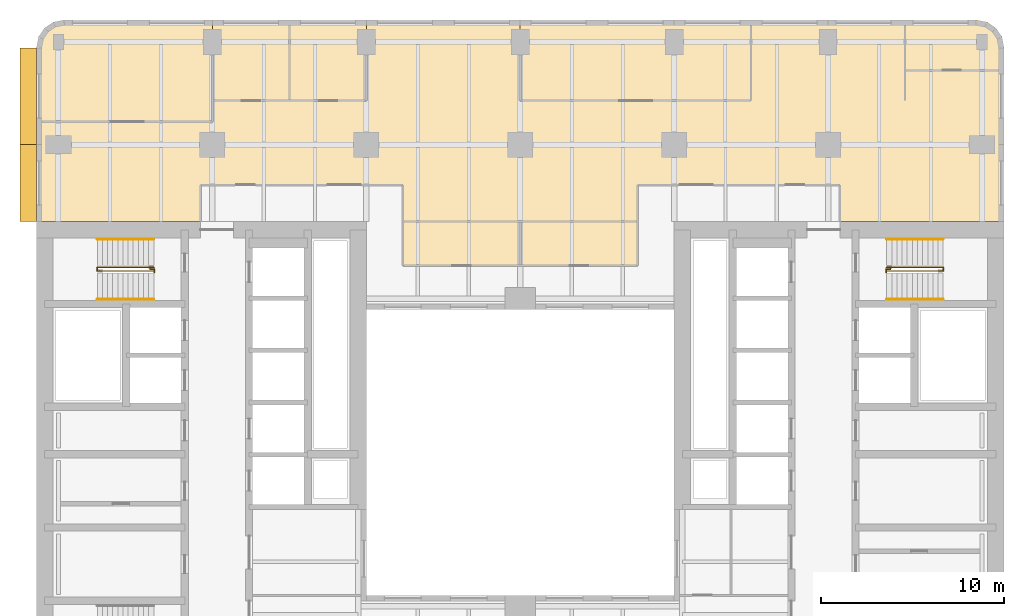
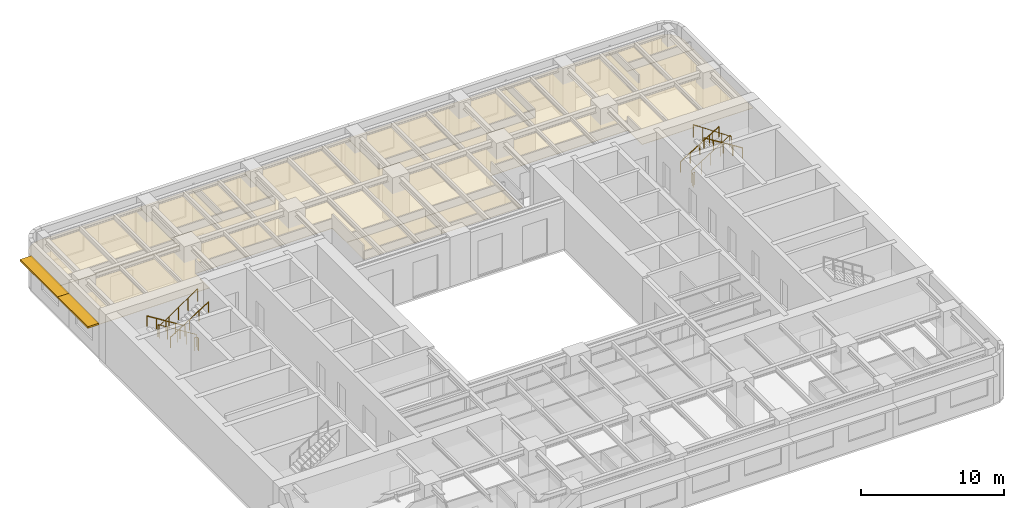
# One storey, part 11 of 11: 8 coverings, 8 railings, 2 shading devices.
"""IFC4 building model written with IfcOpenShell, lengths in metres."""

from ifc_helpers import new_model, si_unit, direction, frame, origin, origin_2d, place, context, subcontext, project, spatial, polyline, rectangle, circle, outline, extrude, material, layer, layer_set, type_object, element, save


model = new_model("IFC4")

# Units and contexts
model_context = context("Model", 3, precision=1e-05, world=origin(), true_north=direction((0.0, 1.0)))
body_context = subcontext(model_context, "Body", "Model", "MODEL_VIEW")
ifc_project = project(units=[si_unit("LENGTHUNIT", "METRE"), si_unit("AREAUNIT", "SQUARE_METRE"), si_unit("VOLUMEUNIT", "CUBIC_METRE"), si_unit("PLANEANGLEUNIT", "RADIAN"), si_unit("MASSUNIT", "GRAM", prefix="KILO")], contexts=[model_context])

# Site, building, storey
site_placement = place(None, origin())
site = spatial("IfcSite", under=ifc_project, at=site_placement, CompositionType="ELEMENT")
building_placement = place(site_placement, origin())
building = spatial("IfcBuilding", under=site, at=building_placement, Name="Claustro Exchange Tower", CompositionType="ELEMENT")
storey_placement = place(building_placement, frame((0.0, 0.0, 113.39990234375)))
storey = spatial("IfcBuildingStorey", under=building, at=storey_placement, Name="L25", CompositionType="ELEMENT", Elevation=113.39990234375)

# Coverings
ifc_material_1 = material(Name="Perforated metal ceiling tiles", Category="steel")
ifc_layer_1 = layer(ifc_material_1, 0.030029296875)
ifc_layer_set_1 = layer_set([ifc_layer_1], Name="Perforated metal ceiling tiles")
covering_type_1 = type_object("IfcCoveringType", Name="CL1 suspended metal ceiling", PredefinedType="CEILING", material=ifc_layer_set_1)
covering_1_placement = place(storey_placement, frame((0.0, 0.0, 2.800048828125)))
element("IfcCovering", 1, at=covering_1_placement, inside=storey, type_object=covering_type_1, Name="Ceiling CL1 L25-18", PredefinedType="CEILING", context=body_context, shape_type="SweptSolid", body=[
    extrude(outline(polyline([(-1.199951171875, 43.25), (-1.199951171875, 37.800048828125), (7.75, 37.800048828125), (7.75, 39.800048828125), (16.800048828125, 39.800048828125), (18.800048828125, 39.800048828125), (18.800048828125, 37.800048828125), (25.199951171875, 37.800048828125), (31.60009765625, 37.800048828125), (31.60009765625, 39.800048828125), (33.60009765625, 39.800048828125), (42.64990234375, 39.800048828125), (42.64990234375, 37.800048828125), (51.60009765625, 37.800048828125), (51.60009765625, 46.050048828125), (46.199951171875, 46.050048828125), (46.199951171875, 48.800048828125), (37.800048828125, 48.800048828125), (37.800048828125, 44.39990234375), (25.199951171875, 44.39990234375), (25.199951171875, 48.800048828125), (16.800048828125, 48.800048828125), (16.800048828125, 44.39990234375), (12.60009765625, 44.39990234375), (8.39990234375, 44.39990234375), (8.39990234375, 43.25), (-1.199951171875, 43.25)])), origin(), (0.0, 0.0, 1.0), 0.030029296875),
])
ifc_material_2 = material(Name="Gypsum board ceiling", Category="gypsum board")
ifc_layer_2 = layer(ifc_material_2, 0.02490234375)
ifc_layer_set_2 = layer_set([ifc_layer_2], Name="Gypsum board ceiling")
covering_type_2 = type_object("IfcCoveringType", Name="CL2 plasterboard ceiling", PredefinedType="CEILING", material=ifc_layer_set_2)
covering_2_placement = place(storey_placement, frame((0.0, 0.0, 2.800048828125)))
element("IfcCovering", 2, at=covering_2_placement, inside=storey, type_object=covering_type_2, Name="Ceiling CL2 L25-15", PredefinedType="CEILING", context=body_context, shape_type="SweptSolid", body=[
    extrude(outline(polyline([(18.800048828125, 35.39990234375), (25.199951171875, 35.39990234375), (25.199951171875, 37.800048828125), (18.800048828125, 37.800048828125), (18.800048828125, 35.39990234375)])), origin(), (0.0, 0.0, 1.0), 0.025146484375),
])
covering_3_placement = place(storey_placement, frame((0.0, 0.0, 2.800048828125)))
element("IfcCovering", 3, at=covering_3_placement, inside=storey, type_object=covering_type_2, Name="Ceiling CL2 L25-17", PredefinedType="CEILING", context=body_context, shape_type="SweptSolid", body=[
    extrude(outline(polyline([(25.199951171875, 35.39990234375), (31.60009765625, 35.39990234375), (31.60009765625, 37.800048828125), (25.199951171875, 37.800048828125), (25.199951171875, 35.39990234375)])), origin(), (0.0, 0.0, 1.0), 0.025146484375),
])
covering_4_placement = place(storey_placement, frame((0.0, 0.0, 2.800048828125)))
element("IfcCovering", 4, at=covering_4_placement, inside=storey, type_object=covering_type_2, Name="Ceiling CL2 L25-19", PredefinedType="CEILING", context=body_context, shape_type="SweptSolid", body=[
    extrude(outline(polyline([(-1.199951171875, 47.300048828125), (-1.199951171875, 43.25), (8.39990234375, 43.25), (8.39990234375, 48.800048828125), (0.300048828125, 48.800048828125), (-0.27392578125, 48.685791015625), (-0.7607421875, 48.360595703125), (-1.085693359375, 47.8740234375), (-1.199951171875, 47.300048828125)])), origin(), (0.0, 0.0, 1.0), 0.025146484375),
])
covering_5_placement = place(storey_placement, frame((0.0, 0.0, 2.800048828125)))
element("IfcCovering", 5, at=covering_5_placement, inside=storey, type_object=covering_type_2, Name="Ceiling CL2 L25-20", PredefinedType="CEILING", context=body_context, shape_type="SweptSolid", body=[
    extrude(outline(polyline([(12.60009765625, 48.800048828125), (8.39990234375, 48.800048828125), (8.39990234375, 44.39990234375), (12.60009765625, 44.39990234375), (12.60009765625, 48.800048828125)])), origin(), (0.0, 0.0, 1.0), 0.025146484375),
])
covering_6_placement = place(storey_placement, frame((0.0, 0.0, 2.800048828125)))
element("IfcCovering", 6, at=covering_6_placement, inside=storey, type_object=covering_type_2, Name="Ceiling CL2 L25-21", PredefinedType="CEILING", context=body_context, shape_type="SweptSolid", body=[
    extrude(outline(polyline([(16.800048828125, 48.800048828125), (12.60009765625, 48.800048828125), (12.60009765625, 44.39990234375), (16.800048828125, 44.39990234375), (16.800048828125, 48.800048828125)])), origin(), (0.0, 0.0, 1.0), 0.025146484375),
])
covering_7_placement = place(storey_placement, frame((0.0, 0.0, 2.800048828125)))
element("IfcCovering", 7, at=covering_7_placement, inside=storey, type_object=covering_type_2, Name="Ceiling CL2 L25-22", PredefinedType="CEILING", context=body_context, shape_type="SweptSolid", body=[
    extrude(outline(polyline([(37.800048828125, 48.800048828125), (25.199951171875, 48.800048828125), (25.199951171875, 44.39990234375), (37.800048828125, 44.39990234375), (37.800048828125, 48.800048828125)])), origin(), (0.0, 0.0, 1.0), 0.025146484375),
])
covering_8_placement = place(storey_placement, frame((0.0, 0.0, 2.800048828125)))
element("IfcCovering", 8, at=covering_8_placement, inside=storey, type_object=covering_type_2, Name="Ceiling CL2 L25-23", PredefinedType="CEILING", context=body_context, shape_type="SweptSolid", body=[
    extrude(outline(polyline([(50.10009765625, 48.800048828125), (46.199951171875, 48.800048828125), (46.199951171875, 46.050048828125), (51.60009765625, 46.050048828125), (51.60009765625, 47.300048828125), (51.48583984375, 47.8740234375), (51.16064453125, 48.360595703125), (50.674072265625, 48.685791015625), (50.10009765625, 48.800048828125)])), origin(), (0.0, 0.0, 1.0), 0.025146484375),
])

# Railings
ifc_material_3 = material(Name="Steel balustrade, painted", Category="steel")
railing_type_1 = type_object("IfcRailingType", Name="GR2 1100 steel stair guard", PredefinedType="GUARDRAIL", material=ifc_material_3)
railing_1_placement = place(storey_placement, frame((5.199951171875, 35.300048828125, 0.175048828125)))
element("IfcRailing", 9, at=railing_1_placement, inside=storey, type_object=railing_type_1, Name="Stair well guard GR2 stair STWB L25", PredefinedType="GUARDRAIL", context=body_context, shape_type="SweptSolid", body=[
    extrude(circle(Radius=0.02392578125, at=origin_2d()), frame((0.0, 0.0, 1.076171875), z_axis=(-0.847979421464, 0.0, 0.530029150871), x_axis=(0.0, -1.0, 0.0)), (0.0, 0.0, 1.0), 3.632080078125),
    extrude(circle(Radius=0.02392578125, at=origin_2d()), frame((-3.079833984375, 0.0, 3.0009765625), z_axis=(0.0, -1.0, 0.0), x_axis=(1.0, 0.0, 0.0)), (0.0, 0.0, 1.0), 0.199951171875),
    extrude(circle(Radius=0.02392578125, at=origin_2d()), frame((-3.079833984375, -0.199951171875, 3.0009765625), z_axis=(0.826201015165, 0.0, 0.563375436579), x_axis=(0.0, 1.0, 0.0)), (0.0, 0.0, 1.0), 3.727783203125),
    extrude(circle(Radius=0.02099609375, at=origin_2d()), origin(), (0.0, 0.0, 1.0), 1.052001953125),
    extrude(circle(Radius=0.02099609375, at=origin_2d()), frame((-0.77001953125, 0.0, 0.481201171875)), (0.0, 0.0, 1.0), 1.052001953125),
    extrude(circle(Radius=0.02099609375, at=origin_2d()), frame((-1.5400390625, 0.0, 0.96240234375)), (0.0, 0.0, 1.0), 1.052001953125),
    extrude(circle(Radius=0.02099609375, at=origin_2d()), frame((-2.309814453125, 0.0, 1.44384765625)), (0.0, 0.0, 1.0), 1.052001953125),
    extrude(circle(Radius=0.02099609375, at=origin_2d()), frame((-3.079833984375, 0.0, 1.925048828125)), (0.0, 0.0, 1.0), 1.052001953125),
    extrude(circle(Radius=0.02099609375, at=origin_2d()), frame((-3.079833984375, -0.199951171875, 1.925048828125)), (0.0, 0.0, 1.0), 1.052001953125),
    extrude(circle(Radius=0.02099609375, at=origin_2d()), frame((-2.309814453125, -0.199951171875, 2.4501953125)), (0.0, 0.0, 1.0), 1.052001953125),
    extrude(circle(Radius=0.02099609375, at=origin_2d()), frame((-1.5400390625, -0.199951171875, 2.97509765625)), (0.0, 0.0, 1.0), 1.052001953125),
    extrude(circle(Radius=0.02099609375, at=origin_2d()), frame((-0.77001953125, -0.199951171875, 3.5)), (0.0, 0.0, 1.0), 1.052001953125),
    extrude(circle(Radius=0.02099609375, at=origin_2d()), frame((0.0, -0.199951171875, 4.025146484375)), (0.0, 0.0, 1.0), 1.052001953125),
])
railing_2_placement = place(storey_placement, frame((5.0, 35.22998046875, 0.0)))
element("IfcRailing", 10, at=railing_2_placement, inside=storey, type_object=railing_type_1, Name="Stair guard GR2 STWB L25", PredefinedType="GUARDRAIL", context=body_context, shape_type="SweptSolid", body=[
    extrude(circle(Radius=0.02392578125, at=origin_2d()), frame((0.0, 0.0, 1.076171875), z_axis=(0.0, -1.0, 0.0), x_axis=(1.0, 0.0, 0.0)), (0.0, 0.0, 1.0), 0.030029296875),
    extrude(circle(Radius=0.02392578125, at=origin_2d()), frame((0.0, -0.030029296875, 1.076171875), z_axis=(1.0, 0.0, 0.0), x_axis=(0.0, 1.0, 0.0)), (0.0, 0.0, 1.0), 0.22509765625),
    extrude(circle(Radius=0.02392578125, at=origin_2d()), frame((0.22509765625, -0.030029296875, 1.076171875), z_axis=(0.0, -1.0, 0.0), x_axis=(1.0, 0.0, 0.0)), (0.0, 0.0, 1.0), 0.179931640625),
    extrude(circle(Radius=0.02099609375, at=origin_2d()), origin(), (0.0, 0.0, 1.0), 1.052001953125),
    extrude(circle(Radius=0.02099609375, at=origin_2d()), frame((0.0, -0.030029296875, 0.0)), (0.0, 0.0, 1.0), 1.052001953125),
    extrude(circle(Radius=0.02099609375, at=origin_2d()), frame((0.22509765625, -0.030029296875, 0.0)), (0.0, 0.0, 1.0), 1.052001953125),
    extrude(circle(Radius=0.02099609375, at=origin_2d()), frame((0.22509765625, -0.2099609375, 0.0)), (0.0, 0.0, 1.0), 1.052001953125),
])
railing_3_placement = place(storey_placement, frame((45.199951171875, 35.300048828125, 0.175048828125)))
element("IfcRailing", 11, at=railing_3_placement, inside=storey, type_object=railing_type_1, Name="Stair well guard GR2 stair STEB L25", PredefinedType="GUARDRAIL", context=body_context, shape_type="SweptSolid", body=[
    extrude(circle(Radius=0.02392578125, at=origin_2d()), frame((0.0, 0.0, 1.076171875), z_axis=(0.847998304005, 0.0, 0.529998940003), x_axis=(0.0, 1.0, 0.0)), (0.0, 0.0, 1.0), 3.632080078125),
    extrude(circle(Radius=0.02392578125, at=origin_2d()), frame((3.080078125, 0.0, 3.0009765625), z_axis=(0.0, -1.0, 0.0), x_axis=(1.0, 0.0, 0.0)), (0.0, 0.0, 1.0), 0.199951171875),
    extrude(circle(Radius=0.02392578125, at=origin_2d()), frame((3.080078125, -0.199951171875, 3.0009765625), z_axis=(-0.826221800596, 0.0, 0.563344953133), x_axis=(0.0, -1.0, 0.0)), (0.0, 0.0, 1.0), 3.72802734375),
    extrude(circle(Radius=0.02099609375, at=origin_2d()), origin(), (0.0, 0.0, 1.0), 1.052001953125),
    extrude(circle(Radius=0.02099609375, at=origin_2d()), frame((0.77001953125, 0.0, 0.481201171875)), (0.0, 0.0, 1.0), 1.052001953125),
    extrude(circle(Radius=0.02099609375, at=origin_2d()), frame((1.5400390625, 0.0, 0.96240234375)), (0.0, 0.0, 1.0), 1.052001953125),
    extrude(circle(Radius=0.02099609375, at=origin_2d()), frame((2.31005859375, 0.0, 1.44384765625)), (0.0, 0.0, 1.0), 1.052001953125),
    extrude(circle(Radius=0.02099609375, at=origin_2d()), frame((3.080078125, 0.0, 1.925048828125)), (0.0, 0.0, 1.0), 1.052001953125),
    extrude(circle(Radius=0.02099609375, at=origin_2d()), frame((3.080078125, -0.199951171875, 1.925048828125)), (0.0, 0.0, 1.0), 1.052001953125),
    extrude(circle(Radius=0.02099609375, at=origin_2d()), frame((2.31005859375, -0.199951171875, 2.4501953125)), (0.0, 0.0, 1.0), 1.052001953125),
    extrude(circle(Radius=0.02099609375, at=origin_2d()), frame((1.5400390625, -0.199951171875, 2.97509765625)), (0.0, 0.0, 1.0), 1.052001953125),
    extrude(circle(Radius=0.02099609375, at=origin_2d()), frame((0.77001953125, -0.199951171875, 3.5)), (0.0, 0.0, 1.0), 1.052001953125),
    extrude(circle(Radius=0.02099609375, at=origin_2d()), frame((0.0, -0.199951171875, 4.025146484375)), (0.0, 0.0, 1.0), 1.052001953125),
])
railing_4_placement = place(storey_placement, frame((45.39990234375, 35.22998046875, 0.0)))
element("IfcRailing", 12, at=railing_4_placement, inside=storey, type_object=railing_type_1, Name="Stair guard GR2 STEB L25", PredefinedType="GUARDRAIL", context=body_context, shape_type="SweptSolid", body=[
    extrude(circle(Radius=0.02392578125, at=origin_2d()), frame((0.0, 0.0, 1.076171875), z_axis=(0.0, -1.0, 0.0), x_axis=(1.0, 0.0, 0.0)), (0.0, 0.0, 1.0), 0.030029296875),
    extrude(circle(Radius=0.02392578125, at=origin_2d()), frame((0.0, -0.030029296875, 1.076171875), z_axis=(-1.0, 0.0, 0.0), x_axis=(0.0, -1.0, 0.0)), (0.0, 0.0, 1.0), 0.224853515625),
    extrude(circle(Radius=0.02392578125, at=origin_2d()), frame((-0.224853515625, -0.030029296875, 1.076171875), z_axis=(0.0, -1.0, 0.0), x_axis=(1.0, 0.0, 0.0)), (0.0, 0.0, 1.0), 0.179931640625),
    extrude(circle(Radius=0.02099609375, at=origin_2d()), origin(), (0.0, 0.0, 1.0), 1.052001953125),
    extrude(circle(Radius=0.02099609375, at=origin_2d()), frame((0.0, -0.030029296875, 0.0)), (0.0, 0.0, 1.0), 1.052001953125),
    extrude(circle(Radius=0.02099609375, at=origin_2d()), frame((-0.224853515625, -0.030029296875, 0.0)), (0.0, 0.0, 1.0), 1.052001953125),
    extrude(circle(Radius=0.02099609375, at=origin_2d()), frame((-0.224853515625, -0.2099609375, 0.0)), (0.0, 0.0, 1.0), 1.052001953125),
])
ifc_material_4 = material(Name="Stainless steel tube", Category="steel")
railing_type_2 = type_object("IfcRailingType", Name="HR1 900 stair handrail", PredefinedType="HANDRAIL", material=ifc_material_4)
railing_5_placement = place(storey_placement, frame((5.199951171875, 36.840087890625, 0.175048828125)))
element("IfcRailing", 13, at=railing_5_placement, inside=storey, type_object=railing_type_2, Name="Handrail HR1 stair STWB L25", PredefinedType="HANDRAIL", context=body_context, shape_type="SweptSolid", body=[
    extrude(circle(Radius=0.02392578125, at=origin_2d()), frame((0.0, 0.0, 0.8759765625), z_axis=(-0.847979421464, 0.0, 0.530029150871), x_axis=(0.0, -1.0, 0.0)), (0.0, 0.0, 1.0), 3.632080078125),
    extrude(circle(Radius=0.02099609375, at=origin_2d()), origin(), (0.0, 0.0, 1.0), 0.851806640625),
    extrude(circle(Radius=0.02099609375, at=origin_2d()), frame((-0.77001953125, 0.0, 0.481201171875)), (0.0, 0.0, 1.0), 0.851806640625),
    extrude(circle(Radius=0.02099609375, at=origin_2d()), frame((-1.5400390625, 0.0, 0.96240234375)), (0.0, 0.0, 1.0), 0.851806640625),
    extrude(circle(Radius=0.02099609375, at=origin_2d()), frame((-2.309814453125, 0.0, 1.44384765625)), (0.0, 0.0, 1.0), 0.851806640625),
    extrude(circle(Radius=0.02099609375, at=origin_2d()), frame((-3.079833984375, 0.0, 1.925048828125)), (0.0, 0.0, 1.0), 0.851806640625),
])
railing_6_placement = place(storey_placement, frame((2.1201171875, 33.56005859375, 2.275146484375)))
element("IfcRailing", 14, at=railing_6_placement, inside=storey, type_object=railing_type_2, Name="Handrail HR1 stair STWB L25", PredefinedType="HANDRAIL", context=body_context, shape_type="SweptSolid", body=[
    extrude(circle(Radius=0.02392578125, at=origin_2d()), frame((0.0, 0.0, 0.8759765625), z_axis=(0.847979421464, 0.0, 0.530029150871), x_axis=(0.0, 1.0, 0.0)), (0.0, 0.0, 1.0), 3.632080078125),
    extrude(circle(Radius=0.02099609375, at=origin_2d()), origin(), (0.0, 0.0, 1.0), 0.851806640625),
    extrude(circle(Radius=0.02099609375, at=origin_2d()), frame((0.77001953125, 0.0, 0.481201171875)), (0.0, 0.0, 1.0), 0.851806640625),
    extrude(circle(Radius=0.02099609375, at=origin_2d()), frame((1.5400390625, 0.0, 0.96240234375)), (0.0, 0.0, 1.0), 0.851806640625),
    extrude(circle(Radius=0.02099609375, at=origin_2d()), frame((2.309814453125, 0.0, 1.44384765625)), (0.0, 0.0, 1.0), 0.851806640625),
    extrude(circle(Radius=0.02099609375, at=origin_2d()), frame((3.079833984375, 0.0, 1.925048828125)), (0.0, 0.0, 1.0), 0.851806640625),
])
railing_7_placement = place(storey_placement, frame((45.199951171875, 36.840087890625, 0.175048828125)))
element("IfcRailing", 15, at=railing_7_placement, inside=storey, type_object=railing_type_2, Name="Handrail HR1 stair STEB L25", PredefinedType="HANDRAIL", context=body_context, shape_type="SweptSolid", body=[
    extrude(circle(Radius=0.02392578125, at=origin_2d()), frame((0.0, 0.0, 0.8759765625), z_axis=(0.847998304005, 0.0, 0.529998940003), x_axis=(0.0, 1.0, 0.0)), (0.0, 0.0, 1.0), 3.632080078125),
    extrude(circle(Radius=0.02099609375, at=origin_2d()), origin(), (0.0, 0.0, 1.0), 0.851806640625),
    extrude(circle(Radius=0.02099609375, at=origin_2d()), frame((0.77001953125, 0.0, 0.481201171875)), (0.0, 0.0, 1.0), 0.851806640625),
    extrude(circle(Radius=0.02099609375, at=origin_2d()), frame((1.5400390625, 0.0, 0.96240234375)), (0.0, 0.0, 1.0), 0.851806640625),
    extrude(circle(Radius=0.02099609375, at=origin_2d()), frame((2.31005859375, 0.0, 1.44384765625)), (0.0, 0.0, 1.0), 0.851806640625),
    extrude(circle(Radius=0.02099609375, at=origin_2d()), frame((3.080078125, 0.0, 1.925048828125)), (0.0, 0.0, 1.0), 0.851806640625),
])
railing_8_placement = place(storey_placement, frame((48.280029296875, 33.56005859375, 2.275146484375)))
element("IfcRailing", 16, at=railing_8_placement, inside=storey, type_object=railing_type_2, Name="Handrail HR1 stair STEB L25", PredefinedType="HANDRAIL", context=body_context, shape_type="SweptSolid", body=[
    extrude(circle(Radius=0.02392578125, at=origin_2d()), frame((0.0, 0.0, 0.8759765625), z_axis=(-0.847998304005, 0.0, 0.529998940003), x_axis=(0.0, -1.0, 0.0)), (0.0, 0.0, 1.0), 3.632080078125),
    extrude(circle(Radius=0.02099609375, at=origin_2d()), origin(), (0.0, 0.0, 1.0), 0.851806640625),
    extrude(circle(Radius=0.02099609375, at=origin_2d()), frame((-0.77001953125, 0.0, 0.481201171875)), (0.0, 0.0, 1.0), 0.851806640625),
    extrude(circle(Radius=0.02099609375, at=origin_2d()), frame((-1.5400390625, 0.0, 0.96240234375)), (0.0, 0.0, 1.0), 0.851806640625),
    extrude(circle(Radius=0.02099609375, at=origin_2d()), frame((-2.31005859375, 0.0, 1.44384765625)), (0.0, 0.0, 1.0), 0.851806640625),
    extrude(circle(Radius=0.02099609375, at=origin_2d()), frame((-3.080078125, 0.0, 1.925048828125)), (0.0, 0.0, 1.0), 0.851806640625),
])

# Shading devices
ifc_material_5 = material(Name="Concrete HA-40 (C40/50), precast, white cement, acid-etched", Category="concrete")
ifc_layer_3 = layer(ifc_material_5, 0.14990234375)
ifc_layer_set_3 = layer_set([ifc_layer_3], Name="Concrete HA-40 (C40/50), precast, white cement, acid-etched")
shading_device_type = type_object("IfcShadingDeviceType", Name="SS2 900 precast concrete SUNSHADE", PredefinedType="SHUTTER", material=ifc_layer_set_3)
shading_device_1_placement = place(storey_placement, frame((-1.64990234375, 39.89990234375, 2.800048828125), z_axis=(0.0, 0.0, 1.0), x_axis=(0.0, 1.0, 0.0)))
element("IfcShadingDevice", 17, at=shading_device_1_placement, inside=storey, type_object=shading_device_type, Name="Precast SUNSHADE SS2 L25", PredefinedType="SHUTTER", context=body_context, shape_type="SweptSolid", body=[
    extrude(rectangle(XDim=4.199951171875, YDim=0.89990234375, at=origin_2d()), origin(), (0.0, 0.0, 1.0), 0.14990234375),
])
shading_device_2_placement = place(storey_placement, frame((-1.64990234375, 44.642578125, 2.800048828125), z_axis=(0.0, 0.0, 1.0), x_axis=(0.0, 1.0, 0.0)))
element("IfcShadingDevice", 18, at=shading_device_2_placement, inside=storey, type_object=shading_device_type, Name="Precast SUNSHADE SS2 L25", PredefinedType="SHUTTER", context=body_context, shape_type="SweptSolid", body=[
    extrude(rectangle(XDim=5.28515625, YDim=0.89990234375, at=origin_2d()), origin(), (0.0, 0.0, 1.0), 0.14990234375),
])

save(model, "model.ifc")
